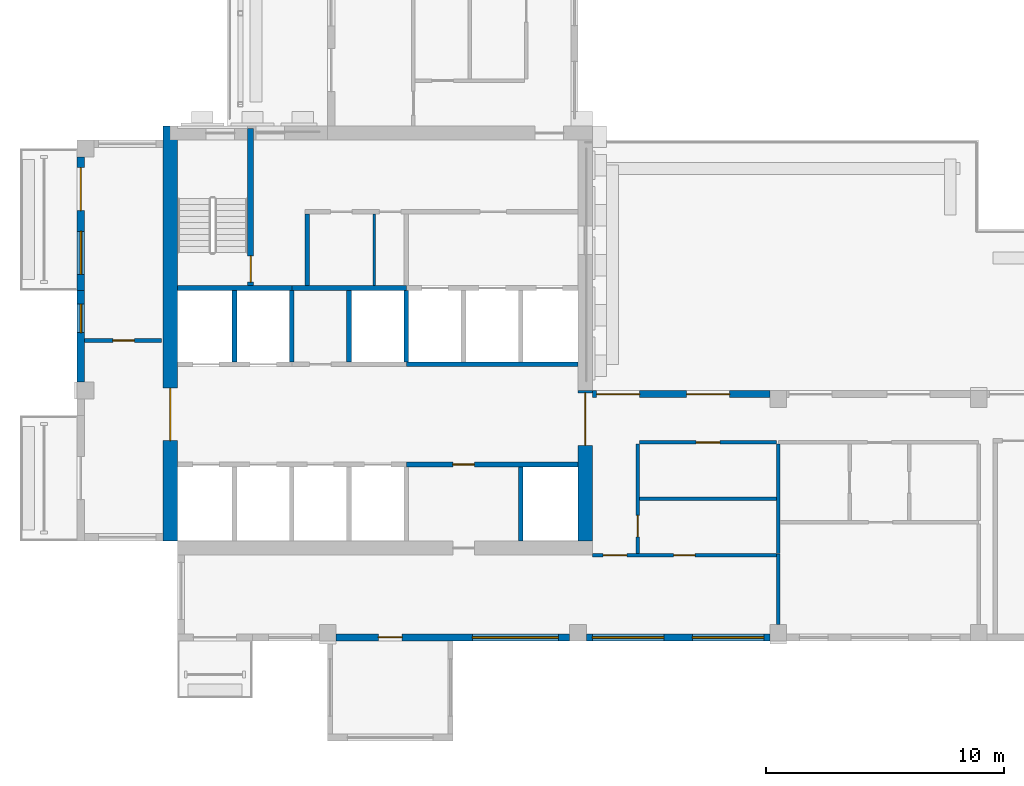
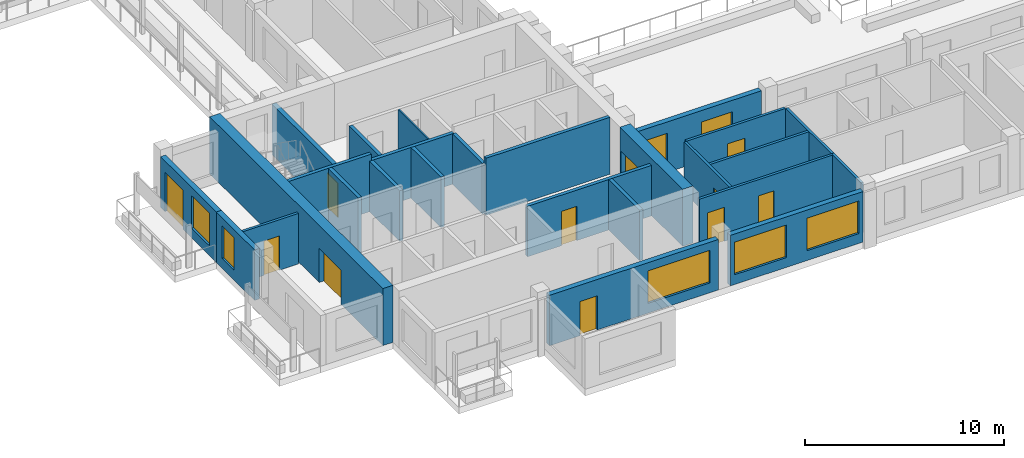
# One storey, part 4 of 12: 26 walls, 13 doors, 5 windows, 18 openings.
"""IFC4 building model written with IfcOpenShell, lengths in metres."""

from ifc_helpers import new_model, si_unit, direction, frame, frame_2d, origin, place, context, subcontext, project, spatial, rectangle, extrude, source, transform, mapped, material, layer, layer_set, type_object, element, fill, save


model = new_model("IFC4")

# Units and contexts
model_context = context("Model", 3, precision=1e-05, world=origin(), true_north=direction((0.0, 1.0)))
body_context = subcontext(model_context, "Body", "Model", "MODEL_VIEW")
ifc_project = project(units=[si_unit("LENGTHUNIT", "METRE"), si_unit("AREAUNIT", "SQUARE_METRE"), si_unit("VOLUMEUNIT", "CUBIC_METRE"), si_unit("PLANEANGLEUNIT", "RADIAN"), si_unit("MASSUNIT", "GRAM", prefix="KILO")], contexts=[model_context])

# Site, building, storey
site_placement = place(None, origin())
site = spatial("IfcSite", under=ifc_project, at=site_placement, CompositionType="ELEMENT")
building_placement = place(site_placement, origin())
building = spatial("IfcBuilding", under=site, at=building_placement, Name="Aurelian Terraces", CompositionType="ELEMENT")
storey_placement = place(building_placement, frame((0.0, 0.0, 284.5)))
storey = spatial("IfcBuildingStorey", under=building, at=storey_placement, Name="L64", CompositionType="ELEMENT", Elevation=284.5)

# Wall, opening, door
ifc_material_1 = material(Name="Concrete fc' 55 MPa", Category="concrete")
ifc_layer_1 = layer(ifc_material_1, 0.6)
ifc_layer_set_1 = layer_set([ifc_layer_1], Name="CORE WALL 600 FC55")
wall_type_1 = type_object("IfcWallType", Name="CORE WALL 600 FC55", PredefinedType="SHEAR", material=ifc_layer_set_1)
wall_1_placement = place(storey_placement, frame((3.9, 4.2, 0.0), z_axis=(0.0, 0.0, 1.0), x_axis=(0.0, 1.0, 0.0)))
wall_1 = element("IfcWall", 1, at=wall_1_placement, inside=storey, type_object=wall_type_1, Name="Core wall W L64", PredefinedType="SHEAR", context=body_context, shape_type="SweptSolid", body=[
    extrude(rectangle(XDim=17.4, YDim=0.6, at=frame_2d((8.7, 0.0))), origin(), (0.0, 0.0, 1.0), 3.5),
])
shared_shape_1 = source(origin(), body_context, "Body", "SweptSolid", [
    extrude(rectangle(XDim=2.2, YDim=2.1, at=frame_2d((1.1, 1.05))), frame((0.0, 0.31, 0.0), z_axis=(0.0, -1.0, 0.0), x_axis=(1.0, 0.0, 0.0)), (0.0, 0.0, 1.0), 0.62),
])
opening_1_placement = place(wall_1_placement, frame((4.2, 0.0, 0.0)))
opening_1 = element("IfcOpeningElement", 2, at=opening_1_placement, cuts=wall_1, Name="Opening 66722", PredefinedType="OPENING", context=body_context, shape_type="MappedRepresentation", body=[
    mapped(shared_shape_1, transform((0.0, 0.0, 0.0), scale=1.0)),
])
ifc_material_2 = material(Name="Steel door leaf", Category="steel")
door_type_1 = type_object("IfcDoorType", Name="Core double door 2200x2100", OperationType="DOUBLE_DOOR_SINGLE_SWING", PredefinedType="DOOR", material=ifc_material_2)
shared_shape_2 = source(origin(), body_context, "Body", "SweptSolid", [
    extrude(rectangle(XDim=2.2, YDim=2.1, at=frame_2d((1.1, 1.05))), frame((0.0, 0.025, 0.0), z_axis=(0.0, -1.0, 0.0), x_axis=(1.0, 0.0, 0.0)), (0.0, 0.0, 1.0), 0.05),
])
door_1_placement = place(opening_1_placement, origin())
door_1 = element("IfcDoor", 3, at=door_1_placement, inside=storey, type_object=door_type_1, Name="Core door 66722", OperationType="DOUBLE_DOOR_SINGLE_SWING", OverallHeight=2.1, OverallWidth=2.2, PredefinedType="DOOR", context=body_context, shape_type="MappedRepresentation", body=[
    mapped(shared_shape_2, transform((0.0, 0.0, 0.0), scale=1.0)),
])
fill(opening_1, door_1)

wall_2_placement = place(storey_placement, frame((21.3, 4.2, 0.0), z_axis=(0.0, 0.0, 1.0), x_axis=(0.0, 1.0, 0.0)))
wall_2 = element("IfcWall", 4, at=wall_2_placement, inside=storey, type_object=wall_type_1, Name="Core wall E L64", PredefinedType="SHEAR", context=body_context, shape_type="SweptSolid", body=[
    extrude(rectangle(XDim=6.3, YDim=0.6, at=frame_2d((3.15, 0.0))), origin(), (0.0, 0.0, 1.0), 3.5),
])
opening_2_placement = place(wall_2_placement, frame((4.0, 0.0, 0.0)))
opening_2 = element("IfcOpeningElement", 5, at=opening_2_placement, cuts=wall_2, Name="Opening 66721", PredefinedType="OPENING", context=body_context, shape_type="SweptSolid", body=[
    extrude(rectangle(XDim=2.2, YDim=2.1, at=frame_2d((1.1, 1.05))), frame((0.0, 0.31, 0.0), z_axis=(0.0, -1.0, 0.0), x_axis=(1.0, 0.0, 0.0)), (0.0, 0.0, 1.0), 0.62),
])
door_2_placement = place(opening_2_placement, origin())
door_2 = element("IfcDoor", 6, at=door_2_placement, inside=storey, type_object=door_type_1, Name="Core door 66721", OperationType="DOUBLE_DOOR_SINGLE_SWING", OverallHeight=2.1, OverallWidth=2.2, PredefinedType="DOOR", context=body_context, shape_type="MappedRepresentation", body=[
    mapped(shared_shape_2, transform((0.0, 0.0, 0.0), scale=1.0)),
])
fill(opening_2, door_2)

# Walls
ifc_material_3 = material(Name="Gypsum board on steel studs", Category="steel")
ifc_layer_2 = layer(ifc_material_3, 0.1)
ifc_layer_set_2 = layer_set([ifc_layer_2], Name="Core partition 100")
wall_type_2 = type_object("IfcWallType", Name="Core partition 100", PredefinedType="PARTITIONING", material=ifc_layer_set_2)
wall_3_placement = place(storey_placement, frame((12.45, 14.9, 0.0), z_axis=(0.0, 0.0, 1.0), x_axis=(0.0, 1.0, 0.0)))
element("IfcWall", 7, at=wall_3_placement, inside=storey, type_object=wall_type_2, Name="L64 core wall CP-SV1", PredefinedType="PARTITIONING", context=body_context, shape_type="SweptSolid", body=[
    extrude(rectangle(XDim=3.0, YDim=0.1, at=frame_2d((1.5, 0.0))), origin(), (0.0, 0.0, 1.0), 3.1),
])
ifc_layer_3 = layer(ifc_material_3, 0.2)
ifc_layer_set_3 = layer_set([ifc_layer_3], Name="Core partition 200")
wall_type_3 = type_object("IfcWallType", Name="Core partition 200", PredefinedType="PARTITIONING", material=ifc_layer_set_3)
wall_4_placement = place(storey_placement, frame((9.65, 14.9, 0.0), z_axis=(0.0, 0.0, 1.0), x_axis=(0.0, 1.0, 0.0)))
element("IfcWall", 8, at=wall_4_placement, inside=storey, type_object=wall_type_3, Name="L64 core wall CP-VEST", PredefinedType="PARTITIONING", context=body_context, shape_type="SweptSolid", body=[
    extrude(rectangle(XDim=3.0, YDim=0.2, at=frame_2d((1.5, 0.0))), origin(), (0.0, 0.0, 1.0), 3.1),
])

# Wall, openings, window, door
ifc_material_4 = material(Name="Terracotta rainscreen cladding", Category="masonry")
ifc_layer_4 = layer(ifc_material_4, 0.3)
ifc_layer_set_4 = layer_set([ifc_layer_4], Name="EW-300")
wall_type_4 = type_object("IfcWallType", Name="EW-300", PredefinedType="STANDARD", material=ifc_layer_set_4)
wall_5_placement = place(storey_placement, frame((10.85, 0.15, 0.0), z_axis=(0.0, 0.0, 1.0), x_axis=(1.0, 0.0, 0.0)))
wall_5 = element("IfcWall", 9, at=wall_5_placement, inside=storey, type_object=wall_type_4, Name="External wall L64 F01.3", PredefinedType="STANDARD", context=body_context, shape_type="SweptSolid", body=[
    extrude(rectangle(XDim=9.8, YDim=0.3, at=frame_2d((4.9, 0.0))), origin(), (0.0, 0.0, 1.0), 3.1),
])
opening_3_placement = place(wall_5_placement, frame((5.725, 0.0, 0.6)))
opening_3 = element("IfcOpeningElement", 10, at=opening_3_placement, cuts=wall_5, Name="Opening W3620", PredefinedType="OPENING", context=body_context, shape_type="SweptSolid", body=[
    extrude(rectangle(XDim=3.6, YDim=2.0, at=frame_2d((1.8, 1.0))), frame((0.0, 0.16, 0.0), z_axis=(0.0, -1.0, 0.0), x_axis=(1.0, 0.0, 0.0)), (0.0, 0.0, 1.0), 0.32),
])
shared_shape_3 = source(origin(), body_context, "Body", "SweptSolid", [
    extrude(rectangle(XDim=1.0, YDim=2.1, at=frame_2d((0.5, 1.05))), frame((0.0, 0.16, 0.0), z_axis=(0.0, -1.0, 0.0), x_axis=(1.0, 0.0, 0.0)), (0.0, 0.0, 1.0), 0.32),
])
opening_4_placement = place(wall_5_placement, frame((1.775, 0.0, 0.0)))
opening_4 = element("IfcOpeningElement", 11, at=opening_4_placement, cuts=wall_5, Name="Opening 864001", PredefinedType="OPENING", context=body_context, shape_type="MappedRepresentation", body=[
    mapped(shared_shape_3, transform((0.0, 0.0, 0.0), scale=1.0)),
])
ifc_material_5 = material(Name="Clear glazing", Category="glass")
window_type_1 = type_object("IfcWindowType", Name="W-3600x2000", PartitioningType="SINGLE_PANEL", PredefinedType="WINDOW", material=ifc_material_5)
window_1_placement = place(opening_3_placement, origin())
window_1 = element("IfcWindow", 12, at=window_1_placement, inside=storey, type_object=window_type_1, Name="Window L64 L64-F01-03-1", OverallHeight=2.0, OverallWidth=3.6, PartitioningType="SINGLE_PANEL", PredefinedType="WINDOW", context=body_context, shape_type="SweptSolid", body=[
    extrude(rectangle(XDim=3.6, YDim=2.0, at=frame_2d((1.8, 1.0))), frame((0.0, 0.03, 0.0), z_axis=(0.0, -1.0, 0.0), x_axis=(1.0, 0.0, 0.0)), (0.0, 0.0, 1.0), 0.06),
])
fill(opening_3, window_1)
ifc_material_6 = material(Name="Timber door leaf", Category="wood")
door_type_2 = type_object("IfcDoorType", Name="Room door 1000x2100 left", OperationType="SINGLE_SWING_LEFT", PredefinedType="DOOR", material=ifc_material_6)
shared_shape_4 = source(origin(), body_context, "Body", "SweptSolid", [
    extrude(rectangle(XDim=1.0, YDim=2.1, at=frame_2d((0.5, 1.05))), frame((0.0, 0.025, 0.0), z_axis=(0.0, -1.0, 0.0), x_axis=(1.0, 0.0, 0.0)), (0.0, 0.0, 1.0), 0.05),
])
door_3_placement = place(opening_4_placement, origin())
door_3 = element("IfcDoor", 13, at=door_3_placement, inside=storey, type_object=door_type_2, Name="Door 864001", OperationType="SINGLE_SWING_LEFT", OverallHeight=2.1, OverallWidth=1.0, PredefinedType="DOOR", context=body_context, shape_type="MappedRepresentation", body=[
    mapped(shared_shape_4, transform((0.0, 0.0, 0.0), scale=1.0)),
])
fill(opening_4, door_3)

# Wall, openings, windows
wall_6_placement = place(storey_placement, frame((21.35, 0.15, 0.0), z_axis=(0.0, 0.0, 1.0), x_axis=(1.0, 0.0, 0.0)))
wall_6 = element("IfcWall", 14, at=wall_6_placement, inside=storey, type_object=wall_type_4, Name="External wall L64 F01.4", PredefinedType="STANDARD", context=body_context, shape_type="SweptSolid", body=[
    extrude(rectangle(XDim=7.7, YDim=0.3, at=frame_2d((3.85, 0.0))), origin(), (0.0, 0.0, 1.0), 3.1),
])
opening_5_placement = place(wall_6_placement, frame((0.25, 0.0, 0.6)))
opening_5 = element("IfcOpeningElement", 15, at=opening_5_placement, cuts=wall_6, Name="Opening W3020", PredefinedType="OPENING", context=body_context, shape_type="SweptSolid", body=[
    extrude(rectangle(XDim=3.0, YDim=2.0, at=frame_2d((1.5, 1.0))), frame((0.0, 0.16, 0.0), z_axis=(0.0, -1.0, 0.0), x_axis=(1.0, 0.0, 0.0)), (0.0, 0.0, 1.0), 0.32),
])
shared_shape_5 = source(origin(), body_context, "Body", "SweptSolid", [
    extrude(rectangle(XDim=3.0, YDim=2.0, at=frame_2d((1.5, 1.0))), frame((0.0, 0.16, 0.0), z_axis=(0.0, -1.0, 0.0), x_axis=(1.0, 0.0, 0.0)), (0.0, 0.0, 1.0), 0.32),
])
opening_6_placement = place(wall_6_placement, frame((4.45, 0.0, 0.6)))
opening_6 = element("IfcOpeningElement", 16, at=opening_6_placement, cuts=wall_6, Name="Opening W3020", PredefinedType="OPENING", context=body_context, shape_type="MappedRepresentation", body=[
    mapped(shared_shape_5, transform((0.0, 0.0, 0.0), scale=1.0)),
])
window_type_2 = type_object("IfcWindowType", Name="W-3000x2000", PartitioningType="SINGLE_PANEL", PredefinedType="WINDOW", material=ifc_material_5)
window_2_placement = place(opening_5_placement, origin())
window_2 = element("IfcWindow", 17, at=window_2_placement, inside=storey, type_object=window_type_2, Name="Window L64 L64-F01-04-0", OverallHeight=2.0, OverallWidth=3.0, PartitioningType="SINGLE_PANEL", PredefinedType="WINDOW", context=body_context, shape_type="SweptSolid", body=[
    extrude(rectangle(XDim=3.0, YDim=2.0, at=frame_2d((1.5, 1.0))), frame((0.0, 0.03, 0.0), z_axis=(0.0, -1.0, 0.0), x_axis=(1.0, 0.0, 0.0)), (0.0, 0.0, 1.0), 0.06),
])
fill(opening_5, window_2)
shared_shape_6 = source(origin(), body_context, "Body", "SweptSolid", [
    extrude(rectangle(XDim=3.0, YDim=2.0, at=frame_2d((1.5, 1.0))), frame((0.0, 0.03, 0.0), z_axis=(0.0, -1.0, 0.0), x_axis=(1.0, 0.0, 0.0)), (0.0, 0.0, 1.0), 0.06),
])
window_3_placement = place(opening_6_placement, origin())
window_3 = element("IfcWindow", 18, at=window_3_placement, inside=storey, type_object=window_type_2, Name="Window L64 L64-F01-04-1", OverallHeight=2.0, OverallWidth=3.0, PartitioningType="SINGLE_PANEL", PredefinedType="WINDOW", context=body_context, shape_type="MappedRepresentation", body=[
    mapped(shared_shape_6, transform((0.0, 0.0, 0.0), scale=1.0)),
])
fill(opening_6, window_3)

# Wall, openings, doors
wall_7_placement = place(storey_placement, frame((29.05, 10.35, 0.0), z_axis=(0.0, 0.0, 1.0), x_axis=(-1.0, 0.0, 0.0)))
wall_7 = element("IfcWall", 19, at=wall_7_placement, inside=storey, type_object=wall_type_4, Name="External wall L64 F03.9", PredefinedType="STANDARD", context=body_context, shape_type="SweptSolid", body=[
    extrude(rectangle(XDim=7.45, YDim=0.3, at=frame_2d((3.725, 0.0))), origin(), (0.0, 0.0, 1.0), 3.1),
])
shared_shape_7 = source(origin(), body_context, "Body", "SweptSolid", [
    extrude(rectangle(XDim=1.8, YDim=2.4, at=frame_2d((0.9, 1.2))), frame((0.0, 0.16, 0.0), z_axis=(0.0, -1.0, 0.0), x_axis=(1.0, 0.0, 0.0)), (0.0, 0.0, 1.0), 0.32),
])
opening_7_placement = place(wall_7_placement, frame((1.69, 0.0, 0.0)))
opening_7 = element("IfcOpeningElement", 20, at=opening_7_placement, cuts=wall_7, Name="Opening 86408", PredefinedType="OPENING", context=body_context, shape_type="MappedRepresentation", body=[
    mapped(shared_shape_7, transform((0.0, 0.0, 0.0), scale=1.0)),
])
opening_8_placement = place(wall_7_placement, frame((5.47, 0.0, 0.0)))
opening_8 = element("IfcOpeningElement", 21, at=opening_8_placement, cuts=wall_7, Name="Opening 86409", PredefinedType="OPENING", context=body_context, shape_type="MappedRepresentation", body=[
    mapped(shared_shape_7, transform((0.0, 0.0, 0.0), scale=1.0)),
])
door_type_3 = type_object("IfcDoorType", Name="BD-1800x2400", OperationType="SLIDING_TO_LEFT", PredefinedType="DOOR", material=ifc_material_5)
shared_shape_8 = source(origin(), body_context, "Body", "SweptSolid", [
    extrude(rectangle(XDim=1.8, YDim=2.4, at=frame_2d((0.9, 1.2))), frame((0.0, 0.025, 0.0), z_axis=(0.0, -1.0, 0.0), x_axis=(1.0, 0.0, 0.0)), (0.0, 0.0, 1.0), 0.05),
])
door_4_placement = place(opening_7_placement, origin())
door_4 = element("IfcDoor", 22, at=door_4_placement, inside=storey, type_object=door_type_3, Name="Terrace door L64 L64-F03-09.6", OperationType="SLIDING_TO_LEFT", OverallHeight=2.4, OverallWidth=1.8, PredefinedType="DOOR", context=body_context, shape_type="MappedRepresentation", body=[
    mapped(shared_shape_8, transform((0.0, 0.0, 0.0), scale=1.0)),
])
fill(opening_7, door_4)
door_5_placement = place(opening_8_placement, origin())
door_5 = element("IfcDoor", 23, at=door_5_placement, inside=storey, type_object=door_type_3, Name="Terrace door L64 L64-F03-09.7", OperationType="SLIDING_TO_LEFT", OverallHeight=2.4, OverallWidth=1.8, PredefinedType="DOOR", context=body_context, shape_type="MappedRepresentation", body=[
    mapped(shared_shape_8, transform((0.0, 0.0, 0.0), scale=1.0)),
])
fill(opening_8, door_5)

# Wall, openings, door, window
wall_8_placement = place(storey_placement, frame((0.15, 20.3, 0.0), z_axis=(0.0, 0.0, 1.0), x_axis=(0.0, -1.0, 0.0)))
wall_8 = element("IfcWall", 24, at=wall_8_placement, inside=storey, type_object=wall_type_4, Name="External wall L64 F12.21", PredefinedType="STANDARD", context=body_context, shape_type="SweptSolid", body=[
    extrude(rectangle(XDim=5.6, YDim=0.3, at=frame_2d((2.8, 0.0))), origin(), (0.0, 0.0, 1.0), 3.1),
])
opening_9_placement = place(wall_8_placement, frame((0.45, 0.0, 0.0)))
opening_9 = element("IfcOpeningElement", 25, at=opening_9_placement, cuts=wall_8, Name="Opening 86412", PredefinedType="OPENING", context=body_context, shape_type="MappedRepresentation", body=[
    mapped(shared_shape_7, transform((0.0, 0.0, 0.0), scale=1.0)),
])
shared_shape_9 = source(origin(), body_context, "Body", "SweptSolid", [
    extrude(rectangle(XDim=1.8, YDim=2.0, at=frame_2d((0.9, 1.0))), frame((0.0, 0.16, 0.0), z_axis=(0.0, -1.0, 0.0), x_axis=(1.0, 0.0, 0.0)), (0.0, 0.0, 1.0), 0.32),
])
opening_10_placement = place(wall_8_placement, frame((3.125, 0.0, 0.6)))
opening_10 = element("IfcOpeningElement", 26, at=opening_10_placement, cuts=wall_8, Name="Opening W1820", PredefinedType="OPENING", context=body_context, shape_type="MappedRepresentation", body=[
    mapped(shared_shape_9, transform((0.0, 0.0, 0.0), scale=1.0)),
])
door_6_placement = place(opening_9_placement, origin())
door_6 = element("IfcDoor", 27, at=door_6_placement, inside=storey, type_object=door_type_3, Name="Balcony door L64 F12.21", OperationType="SLIDING_TO_LEFT", OverallHeight=2.4, OverallWidth=1.8, PredefinedType="DOOR", context=body_context, shape_type="MappedRepresentation", body=[
    mapped(shared_shape_8, transform((0.0, 0.0, 0.0), scale=1.0)),
])
fill(opening_9, door_6)
window_type_3 = type_object("IfcWindowType", Name="W-1800x2000", PartitioningType="SINGLE_PANEL", PredefinedType="WINDOW", material=ifc_material_5)
shared_shape_10 = source(origin(), body_context, "Body", "SweptSolid", [
    extrude(rectangle(XDim=1.8, YDim=2.0, at=frame_2d((0.9, 1.0))), frame((0.0, 0.03, 0.0), z_axis=(0.0, -1.0, 0.0), x_axis=(1.0, 0.0, 0.0)), (0.0, 0.0, 1.0), 0.06),
])
window_4_placement = place(opening_10_placement, origin())
window_4 = element("IfcWindow", 28, at=window_4_placement, inside=storey, type_object=window_type_3, Name="Window L64 L64-F12-21-1", OverallHeight=2.0, OverallWidth=1.8, PartitioningType="SINGLE_PANEL", PredefinedType="WINDOW", context=body_context, shape_type="MappedRepresentation", body=[
    mapped(shared_shape_10, transform((0.0, 0.0, 0.0), scale=1.0)),
])
fill(opening_10, window_4)

# Wall, opening, window
wall_9_placement = place(storey_placement, frame((0.15, 14.7, 0.0), z_axis=(0.0, 0.0, 1.0), x_axis=(0.0, -1.0, 0.0)))
wall_9 = element("IfcWall", 29, at=wall_9_placement, inside=storey, type_object=wall_type_4, Name="External wall L64 F12.22", PredefinedType="STANDARD", context=body_context, shape_type="SweptSolid", body=[
    extrude(rectangle(XDim=3.85, YDim=0.3, at=frame_2d((1.925, 0.0))), origin(), (0.0, 0.0, 1.0), 3.1),
])
shared_shape_11 = source(origin(), body_context, "Body", "SweptSolid", [
    extrude(rectangle(XDim=1.2, YDim=2.0, at=frame_2d((0.6, 1.0))), frame((0.0, 0.16, 0.0), z_axis=(0.0, -1.0, 0.0), x_axis=(1.0, 0.0, 0.0)), (0.0, 0.0, 1.0), 0.32),
])
opening_11_placement = place(wall_9_placement, frame((0.575, 0.0, 0.6)))
opening_11 = element("IfcOpeningElement", 30, at=opening_11_placement, cuts=wall_9, Name="Opening W1220", PredefinedType="OPENING", context=body_context, shape_type="MappedRepresentation", body=[
    mapped(shared_shape_11, transform((0.0, 0.0, 0.0), scale=1.0)),
])
window_type_4 = type_object("IfcWindowType", Name="W-1200x2000", PartitioningType="SINGLE_PANEL", PredefinedType="WINDOW", material=ifc_material_5)
shared_shape_12 = source(origin(), body_context, "Body", "SweptSolid", [
    extrude(rectangle(XDim=1.2, YDim=2.0, at=frame_2d((0.6, 1.0))), frame((0.0, 0.03, 0.0), z_axis=(0.0, -1.0, 0.0), x_axis=(1.0, 0.0, 0.0)), (0.0, 0.0, 1.0), 0.06),
])
window_5_placement = place(opening_11_placement, origin())
window_5 = element("IfcWindow", 31, at=window_5_placement, inside=storey, type_object=window_type_4, Name="Window L64 L64-F12-22-P0", OverallHeight=2.0, OverallWidth=1.2, PartitioningType="SINGLE_PANEL", PredefinedType="WINDOW", context=body_context, shape_type="MappedRepresentation", body=[
    mapped(shared_shape_12, transform((0.0, 0.0, 0.0), scale=1.0)),
])
fill(opening_11, window_5)

# Wall, opening, door
ifc_layer_5 = layer(ifc_material_3, 0.15)
ifc_layer_set_5 = layer_set([ifc_layer_5], Name="Fire partition 150")
wall_type_5 = type_object("IfcWallType", Name="Fire partition 150", PredefinedType="PARTITIONING", material=ifc_layer_set_5)
wall_10_placement = place(storey_placement, frame((29.325, 8.325, 0.0), z_axis=(0.0, 0.0, 1.0), x_axis=(-1.0, 0.0, 0.0)))
wall_10 = element("IfcWall", 32, at=wall_10_placement, inside=storey, type_object=wall_type_5, Name="Corridor wall", PredefinedType="PARTITIONING", context=body_context, shape_type="SweptSolid", body=[
    extrude(rectangle(XDim=5.75, YDim=0.15, at=frame_2d((2.875, 0.0))), origin(), (0.0, 0.0, 1.0), 3.1),
])
shared_shape_13 = source(origin(), body_context, "Body", "SweptSolid", [
    extrude(rectangle(XDim=1.0, YDim=2.1, at=frame_2d((0.5, 1.05))), frame((0.0, 0.085, 0.0), z_axis=(0.0, -1.0, 0.0), x_axis=(1.0, 0.0, 0.0)), (0.0, 0.0, 1.0), 0.17),
])
opening_12_placement = place(wall_10_placement, frame((2.375, 0.0, 0.0)))
opening_12 = element("IfcOpeningElement", 33, at=opening_12_placement, cuts=wall_10, Name="Opening 764001", PredefinedType="OPENING", context=body_context, shape_type="MappedRepresentation", body=[
    mapped(shared_shape_13, transform((0.0, 0.0, 0.0), scale=1.0)),
])
door_type_4 = type_object("IfcDoorType", Name="Entrance fire door 1000x2100 left", OperationType="SINGLE_SWING_LEFT", PredefinedType="DOOR", material=ifc_material_2)
door_7_placement = place(opening_12_placement, origin())
door_7 = element("IfcDoor", 34, at=door_7_placement, inside=storey, type_object=door_type_4, Name="Door 764001", OperationType="SINGLE_SWING_LEFT", OverallHeight=2.1, OverallWidth=1.0, PredefinedType="DOOR", context=body_context, shape_type="MappedRepresentation", body=[
    mapped(shared_shape_4, transform((0.0, 0.0, 0.0), scale=1.0)),
])
fill(opening_12, door_7)

# Walls
wall_11_placement = place(storey_placement, frame((29.4, 0.699, 0.0), z_axis=(0.0, 0.0, 1.0), x_axis=(0.0, 1.0, 0.0)))
element("IfcWall", 35, at=wall_11_placement, inside=storey, type_object=wall_type_5, Name="Party wall", PredefinedType="PARTITIONING", context=body_context, shape_type="SweptSolid", body=[
    extrude(rectangle(XDim=2.956, YDim=0.15, at=frame_2d((1.478, 0.0))), origin(), (0.0, 0.0, 1.0), 3.1),
])
ifc_material_7 = material(Name="Concrete fc' 40 MPa", Category="concrete")
ifc_layer_6 = layer(ifc_material_7, 0.2)
ifc_layer_set_6 = layer_set([ifc_layer_6], Name="Lift shaft wall 200")
wall_type_6 = type_object("IfcWallType", Name="Lift shaft wall 200", PredefinedType="SOLIDWALL", material=ifc_layer_set_6)
wall_12_placement = place(storey_placement, frame((6.6, 11.7, 0.0), z_axis=(0.0, 0.0, 1.0), x_axis=(0.0, 1.0, 0.0)))
element("IfcWall", 36, at=wall_12_placement, inside=storey, type_object=wall_type_6, Name="L64 core wall CD-B1", PredefinedType="SOLIDWALL", context=body_context, shape_type="SweptSolid", body=[
    extrude(rectangle(XDim=3.0, YDim=0.2, at=frame_2d((1.5, 0.0))), origin(), (0.0, 0.0, 1.0), 3.5),
])
wall_13_placement = place(storey_placement, frame((9.0, 11.7, 0.0), z_axis=(0.0, 0.0, 1.0), x_axis=(0.0, 1.0, 0.0)))
element("IfcWall", 37, at=wall_13_placement, inside=storey, type_object=wall_type_6, Name="L64 core wall CD-B2", PredefinedType="SOLIDWALL", context=body_context, shape_type="SweptSolid", body=[
    extrude(rectangle(XDim=3.0, YDim=0.2, at=frame_2d((1.5, 0.0))), origin(), (0.0, 0.0, 1.0), 3.1),
])

# Wall, opening, door
wall_14_placement = place(storey_placement, frame((13.8, 7.4, 0.0), z_axis=(0.0, 0.0, 1.0), x_axis=(1.0, 0.0, 0.0)))
wall_14 = element("IfcWall", 38, at=wall_14_placement, inside=storey, type_object=wall_type_6, Name="L64 core wall CF-AF2", PredefinedType="SOLIDWALL", context=body_context, shape_type="SweptSolid", body=[
    extrude(rectangle(XDim=7.2, YDim=0.2, at=frame_2d((3.6, 0.0))), origin(), (0.0, 0.0, 1.0), 3.1),
])
shared_shape_14 = source(origin(), body_context, "Body", "SweptSolid", [
    extrude(rectangle(XDim=0.9, YDim=2.1, at=frame_2d((0.45, 1.05))), frame((0.0, 0.11, 0.0), z_axis=(0.0, -1.0, 0.0), x_axis=(1.0, 0.0, 0.0)), (0.0, 0.0, 1.0), 0.22),
])
opening_13_placement = place(wall_14_placement, frame((1.95, 0.0, 0.0)))
opening_13 = element("IfcOpeningElement", 39, at=opening_13_placement, cuts=wall_14, Name="Opening 66704", PredefinedType="OPENING", context=body_context, shape_type="MappedRepresentation", body=[
    mapped(shared_shape_14, transform((0.0, 0.0, 0.0), scale=1.0)),
])
door_type_5 = type_object("IfcDoorType", Name="Core service door 900x2100 right", OperationType="SINGLE_SWING_RIGHT", PredefinedType="DOOR", material=ifc_material_2)
shared_shape_15 = source(origin(), body_context, "Body", "SweptSolid", [
    extrude(rectangle(XDim=0.9, YDim=2.1, at=frame_2d((0.45, 1.05))), frame((0.0, 0.025, 0.0), z_axis=(0.0, -1.0, 0.0), x_axis=(1.0, 0.0, 0.0)), (0.0, 0.0, 1.0), 0.05),
])
door_8_placement = place(opening_13_placement, origin())
door_8 = element("IfcDoor", 40, at=door_8_placement, inside=storey, type_object=door_type_5, Name="Room door 66704", OperationType="SINGLE_SWING_RIGHT", OverallHeight=2.1, OverallWidth=0.9, PredefinedType="DOOR", context=body_context, shape_type="MappedRepresentation", body=[
    mapped(shared_shape_15, transform((0.0, 0.0, 0.0), scale=1.0)),
])
fill(opening_13, door_8)

# Wall
wall_15_placement = place(storey_placement, frame((13.8, 11.6, 0.0), z_axis=(0.0, 0.0, 1.0), x_axis=(1.0, 0.0, 0.0)))
element("IfcWall", 41, at=wall_15_placement, inside=storey, type_object=wall_type_6, Name="L64 core wall CF-BF3", PredefinedType="SOLIDWALL", context=body_context, shape_type="SweptSolid", body=[
    extrude(rectangle(XDim=7.2, YDim=0.2, at=frame_2d((3.6, 0.0))), origin(), (0.0, 0.0, 1.0), 3.5),
])

# Wall, opening, door
ifc_layer_7 = layer(ifc_material_3, 0.15)
ifc_layer_set_7 = layer_set([ifc_layer_7], Name="Partition 150")
wall_type_7 = type_object("IfcWallType", Name="Partition 150", PredefinedType="PARTITIONING", material=ifc_layer_set_7)
wall_16_placement = place(storey_placement, frame((23.5, 8.25, 0.0), z_axis=(0.0, 0.0, 1.0), x_axis=(0.0, -1.0, 0.0)))
wall_16 = element("IfcWall", 42, at=wall_16_placement, inside=storey, type_object=wall_type_7, Name="Partition", PredefinedType="PARTITIONING", context=body_context, shape_type="SweptSolid", body=[
    extrude(rectangle(XDim=4.575, YDim=0.15, at=frame_2d((2.2875, 0.0))), origin(), (0.0, 0.0, 1.0), 3.1),
])
shared_shape_16 = source(origin(), body_context, "Body", "SweptSolid", [
    extrude(rectangle(XDim=0.9, YDim=2.1, at=frame_2d((0.45, 1.05))), frame((0.0, 0.085, 0.0), z_axis=(0.0, -1.0, 0.0), x_axis=(1.0, 0.0, 0.0)), (0.0, 0.0, 1.0), 0.17),
])
opening_14_placement = place(wall_16_placement, frame((2.981, 0.0, 0.0)))
opening_14 = element("IfcOpeningElement", 43, at=opening_14_placement, cuts=wall_16, Name="Opening 764002", PredefinedType="OPENING", context=body_context, shape_type="MappedRepresentation", body=[
    mapped(shared_shape_16, transform((0.0, 0.0, 0.0), scale=1.0)),
])
door_type_6 = type_object("IfcDoorType", Name="Room door 900x2100 right", OperationType="SINGLE_SWING_RIGHT", PredefinedType="DOOR", material=ifc_material_6)
door_9_placement = place(opening_14_placement, origin())
door_9 = element("IfcDoor", 44, at=door_9_placement, inside=storey, type_object=door_type_6, Name="Door 764002", OperationType="SINGLE_SWING_RIGHT", OverallHeight=2.1, OverallWidth=0.9, PredefinedType="DOOR", context=body_context, shape_type="MappedRepresentation", body=[
    mapped(shared_shape_15, transform((0.0, 0.0, 0.0), scale=1.0)),
])
fill(opening_14, door_9)

# Wall, openings, doors
wall_17_placement = place(storey_placement, frame((21.6, 3.6, 0.0), z_axis=(0.0, 0.0, 1.0), x_axis=(1.0, 0.0, 0.0)))
wall_17 = element("IfcWall", 45, at=wall_17_placement, inside=storey, type_object=wall_type_7, Name="Partition", PredefinedType="PARTITIONING", context=body_context, shape_type="SweptSolid", body=[
    extrude(rectangle(XDim=7.725, YDim=0.15, at=frame_2d((3.8625, 0.0))), origin(), (0.0, 0.0, 1.0), 3.1),
])
opening_15_placement = place(wall_17_placement, frame((0.45, 0.0, 0.0)))
opening_15 = element("IfcOpeningElement", 46, at=opening_15_placement, cuts=wall_17, Name="Opening 764003", PredefinedType="OPENING", context=body_context, shape_type="MappedRepresentation", body=[
    mapped(shared_shape_13, transform((0.0, 0.0, 0.0), scale=1.0)),
])
opening_16_placement = place(wall_17_placement, frame((3.4125, 0.0, 0.0)))
opening_16 = element("IfcOpeningElement", 47, at=opening_16_placement, cuts=wall_17, Name="Opening 764017", PredefinedType="OPENING", context=body_context, shape_type="MappedRepresentation", body=[
    mapped(shared_shape_16, transform((0.0, 0.0, 0.0), scale=1.0)),
])
door_type_7 = type_object("IfcDoorType", Name="Room door 1000x2100 right", OperationType="SINGLE_SWING_RIGHT", PredefinedType="DOOR", material=ifc_material_6)
door_10_placement = place(opening_15_placement, origin())
door_10 = element("IfcDoor", 48, at=door_10_placement, inside=storey, type_object=door_type_7, Name="Door 764003", OperationType="SINGLE_SWING_RIGHT", OverallHeight=2.1, OverallWidth=1.0, PredefinedType="DOOR", context=body_context, shape_type="MappedRepresentation", body=[
    mapped(shared_shape_4, transform((0.0, 0.0, 0.0), scale=1.0)),
])
fill(opening_15, door_10)
door_type_8 = type_object("IfcDoorType", Name="Room door 900x2100 left", OperationType="SINGLE_SWING_LEFT", PredefinedType="DOOR", material=ifc_material_6)
door_11_placement = place(opening_16_placement, origin())
door_11 = element("IfcDoor", 49, at=door_11_placement, inside=storey, type_object=door_type_8, Name="Door 764017", OperationType="SINGLE_SWING_LEFT", OverallHeight=2.1, OverallWidth=0.9, PredefinedType="DOOR", context=body_context, shape_type="MappedRepresentation", body=[
    mapped(shared_shape_15, transform((0.0, 0.0, 0.0), scale=1.0)),
])
fill(opening_16, door_11)

# Wall, opening, door
wall_18_placement = place(storey_placement, frame((0.3, 12.6, 0.0), z_axis=(0.0, 0.0, 1.0), x_axis=(1.0, 0.0, 0.0)))
wall_18 = element("IfcWall", 50, at=wall_18_placement, inside=storey, type_object=wall_type_7, Name="Partition", PredefinedType="PARTITIONING", context=body_context, shape_type="SweptSolid", body=[
    extrude(rectangle(XDim=3.225, YDim=0.15, at=frame_2d((1.6125, 0.0))), origin(), (0.0, 0.0, 1.0), 3.1),
])
opening_17_placement = place(wall_18_placement, frame((1.2, 0.0, 0.0)))
opening_17 = element("IfcOpeningElement", 51, at=opening_17_placement, cuts=wall_18, Name="Opening 764012", PredefinedType="OPENING", context=body_context, shape_type="MappedRepresentation", body=[
    mapped(shared_shape_16, transform((0.0, 0.0, 0.0), scale=1.0)),
])
door_12_placement = place(opening_17_placement, origin())
door_12 = element("IfcDoor", 52, at=door_12_placement, inside=storey, type_object=door_type_6, Name="Door 764012", OperationType="SINGLE_SWING_RIGHT", OverallHeight=2.1, OverallWidth=0.9, PredefinedType="DOOR", context=body_context, shape_type="MappedRepresentation", body=[
    mapped(shared_shape_15, transform((0.0, 0.0, 0.0), scale=1.0)),
])
fill(opening_17, door_12)

ifc_layer_8 = layer(ifc_material_7, 0.25)
ifc_layer_set_8 = layer_set([ifc_layer_8], Name="Stair enclosure wall 250")
wall_type_8 = type_object("IfcWallType", Name="Stair enclosure wall 250", PredefinedType="SOLIDWALL", material=ifc_layer_set_8)
wall_19_placement = place(storey_placement, frame((7.275, 14.9, 0.0), z_axis=(0.0, 0.0, 1.0), x_axis=(0.0, 1.0, 0.0)))
wall_19 = element("IfcWall", 53, at=wall_19_placement, inside=storey, type_object=wall_type_8, Name="L64 core wall ST-S1-E", PredefinedType="SOLIDWALL", context=body_context, shape_type="SweptSolid", body=[
    extrude(rectangle(XDim=6.6, YDim=0.25, at=frame_2d((3.3, 0.0))), origin(), (0.0, 0.0, 1.0), 3.1),
])
shared_shape_17 = source(origin(), body_context, "Body", "SweptSolid", [
    extrude(rectangle(XDim=1.1, YDim=2.1, at=frame_2d((0.55, 1.05))), frame((0.0, 0.135, 0.0), z_axis=(0.0, -1.0, 0.0), x_axis=(1.0, 0.0, 0.0)), (0.0, 0.0, 1.0), 0.27),
])
opening_18_placement = place(wall_19_placement, frame((0.15, 0.0, 0.0)))
opening_18 = element("IfcOpeningElement", 54, at=opening_18_placement, cuts=wall_19, Name="Opening 66711", PredefinedType="OPENING", context=body_context, shape_type="MappedRepresentation", body=[
    mapped(shared_shape_17, transform((0.0, 0.0, 0.0), scale=1.0)),
])
door_type_9 = type_object("IfcDoorType", Name="Core fire door 1100x2100", OperationType="SINGLE_SWING_LEFT", PredefinedType="DOOR", material=ifc_material_2)
shared_shape_18 = source(origin(), body_context, "Body", "SweptSolid", [
    extrude(rectangle(XDim=1.1, YDim=2.1, at=frame_2d((0.55, 1.05))), frame((0.0, 0.025, 0.0), z_axis=(0.0, -1.0, 0.0), x_axis=(1.0, 0.0, 0.0)), (0.0, 0.0, 1.0), 0.05),
])
door_13_placement = place(opening_18_placement, origin())
door_13 = element("IfcDoor", 55, at=door_13_placement, inside=storey, type_object=door_type_9, Name="Stair door 66711", OperationType="SINGLE_SWING_LEFT", OverallHeight=2.1, OverallWidth=1.1, PredefinedType="DOOR", context=body_context, shape_type="MappedRepresentation", body=[
    mapped(shared_shape_18, transform((0.0, 0.0, 0.0), scale=1.0)),
])
fill(opening_18, door_13)

# Walls
shared_shape_19 = source(origin(), body_context, "Body", "SweptSolid", [
    extrude(rectangle(XDim=3.1, YDim=0.2, at=frame_2d((1.55, 0.0))), origin(), (0.0, 0.0, 1.0), 3.1),
])
wall_20_placement = place(storey_placement, frame((18.6, 4.2, 0.0), z_axis=(0.0, 0.0, 1.0), x_axis=(0.0, 1.0, 0.0)))
element("IfcWall", 56, at=wall_20_placement, inside=storey, type_object=wall_type_6, Name="L64 core wall CD-A6", PredefinedType="SOLIDWALL", context=body_context, shape_type="MappedRepresentation", body=[
    mapped(shared_shape_19, transform((0.0, 0.0, 0.0), scale=1.0)),
])
shared_shape_20 = source(origin(), body_context, "Body", "SweptSolid", [
    extrude(rectangle(XDim=3.0, YDim=0.2, at=frame_2d((1.5, 0.0))), origin(), (0.0, 0.0, 1.0), 3.1),
])
for number, where, z_axis, x_axis, name in (
    (57, (11.4, 11.7, 0.0), (0.0, 0.0, 1.0), (0.0, 1.0, 0.0), "L64 core wall CD-B3"),
    (58, (13.8, 11.7, 0.0), (0.0, 0.0, 1.0), (0.0, 1.0, 0.0), "L64 core wall CD-B4"),
):
    element("IfcWall", number, at=place(storey_placement, frame(where, z_axis=z_axis, x_axis=x_axis)), inside=storey, type_object=wall_type_6, Name=name, PredefinedType="SOLIDWALL", context=body_context, shape_type="MappedRepresentation", body=[
        mapped(shared_shape_20, transform((0.0, 0.0, 0.0), scale=1.0)),
    ])
shared_shape_21 = source(origin(), body_context, "Body", "SweptSolid", [
    extrude(rectangle(XDim=4.8, YDim=0.2, at=frame_2d((2.4, 0.0))), origin(), (0.0, 0.0, 1.0), 3.5),
])
wall_21_placement = place(storey_placement, frame((4.2, 14.8, 0.0), z_axis=(0.0, 0.0, 1.0), x_axis=(1.0, 0.0, 0.0)))
element("IfcWall", 59, at=wall_21_placement, inside=storey, type_object=wall_type_6, Name="L64 core wall CF-BB1", PredefinedType="SOLIDWALL", context=body_context, shape_type="MappedRepresentation", body=[
    mapped(shared_shape_21, transform((0.0, 0.0, 0.0), scale=1.0)),
])
shared_shape_22 = source(origin(), body_context, "Body", "SweptSolid", [
    extrude(rectangle(XDim=4.8, YDim=0.2, at=frame_2d((2.4, 0.0))), origin(), (0.0, 0.0, 1.0), 3.1),
])
wall_22_placement = place(storey_placement, frame((9.0, 14.8, 0.0), z_axis=(0.0, 0.0, 1.0), x_axis=(1.0, 0.0, 0.0)))
element("IfcWall", 60, at=wall_22_placement, inside=storey, type_object=wall_type_6, Name="L64 core wall CF-BB2", PredefinedType="SOLIDWALL", context=body_context, shape_type="MappedRepresentation", body=[
    mapped(shared_shape_22, transform((0.0, 0.0, 0.0), scale=1.0)),
])
shared_shape_23 = source(origin(), body_context, "Body", "SweptSolid", [
    extrude(rectangle(XDim=4.575, YDim=0.15, at=frame_2d((2.2875, 0.0))), origin(), (0.0, 0.0, 1.0), 3.1),
])
wall_23_placement = place(storey_placement, frame((29.4, 3.675, 0.0), z_axis=(0.0, 0.0, 1.0), x_axis=(0.0, 1.0, 0.0)))
element("IfcWall", 61, at=wall_23_placement, inside=storey, type_object=wall_type_7, Name="Partition", PredefinedType="PARTITIONING", context=body_context, shape_type="MappedRepresentation", body=[
    mapped(shared_shape_23, transform((0.0, 0.0, 0.0), scale=1.0)),
])
shared_shape_24 = source(origin(), body_context, "Body", "SweptSolid", [
    extrude(rectangle(XDim=5.75, YDim=0.15, at=frame_2d((2.875, 0.0))), origin(), (0.0, 0.0, 1.0), 3.1),
])
wall_24_placement = place(storey_placement, frame((29.325, 5.963, 0.0), z_axis=(0.0, 0.0, 1.0), x_axis=(-1.0, 0.0, 0.0)))
element("IfcWall", 62, at=wall_24_placement, inside=storey, type_object=wall_type_7, Name="Partition", PredefinedType="PARTITIONING", context=body_context, shape_type="MappedRepresentation", body=[
    mapped(shared_shape_24, transform((0.0, 0.0, 0.0), scale=1.0)),
])

save(model, "model.ifc")
